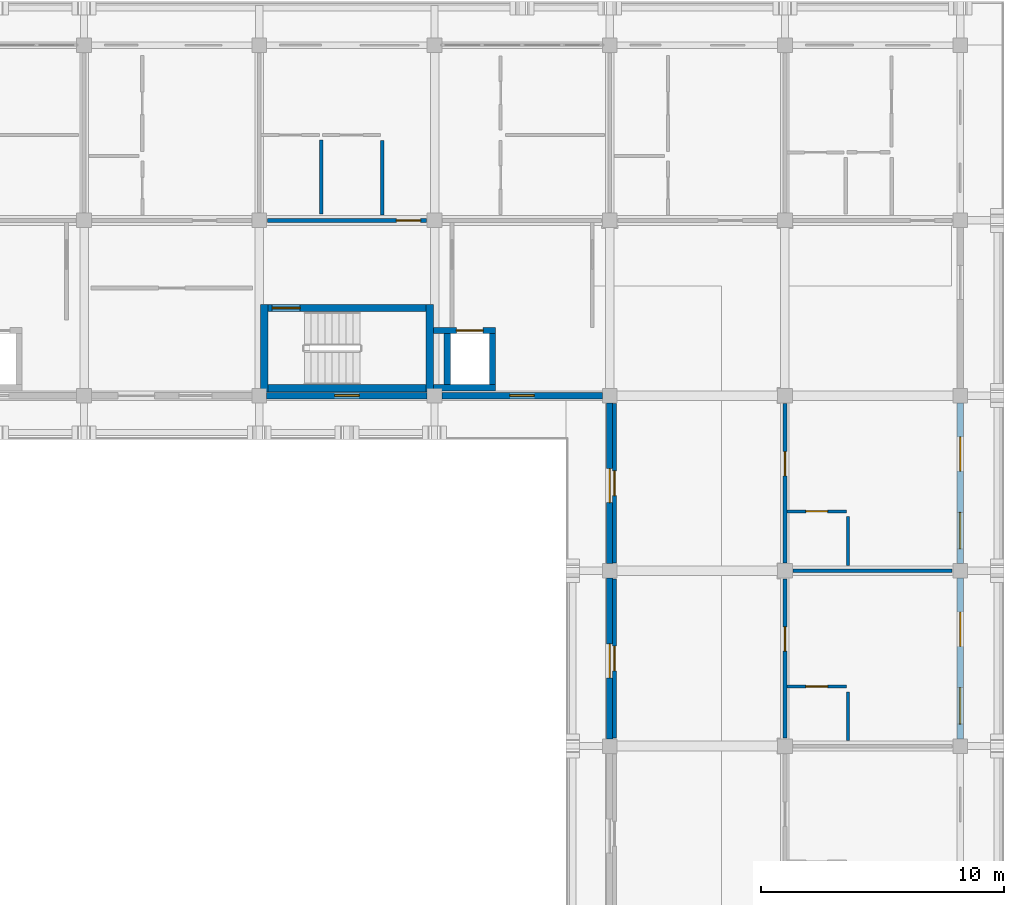
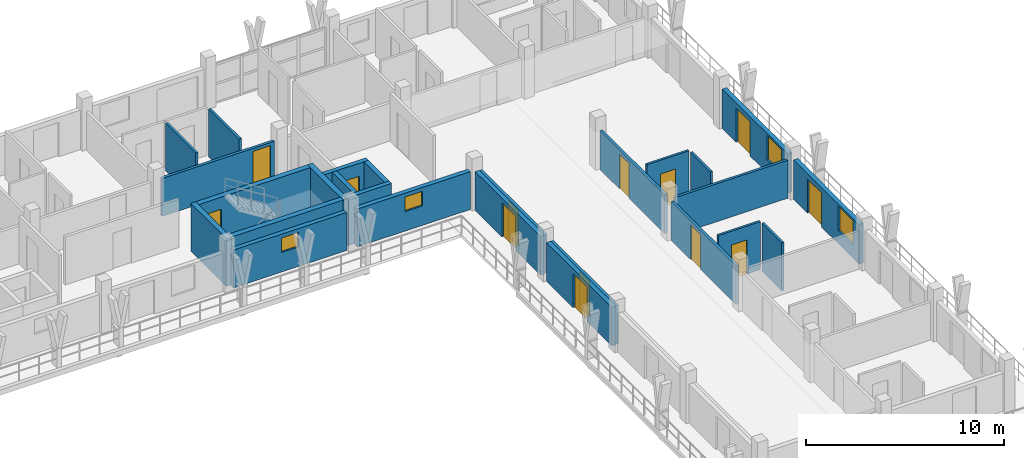
# One storey, part 59 of 78: 26 walls, 13 doors, 4 windows, 17 openings.
"""IFC4 building model written with IfcOpenShell, lengths in metres."""

from ifc_helpers import new_model, si_unit, direction, frame, frame_2d, origin, place, context, subcontext, project, spatial, rectangle, extrude, material, layer, layer_set, type_object, element, fill, save


model = new_model("IFC4")

# Units and contexts
model_context = context("Model", 3, precision=1e-05, world=origin(), true_north=direction((0.0, 1.0)))
body_context = subcontext(model_context, "Body", "Model", "MODEL_VIEW")
ifc_project = project(units=[si_unit("LENGTHUNIT", "METRE"), si_unit("AREAUNIT", "SQUARE_METRE"), si_unit("VOLUMEUNIT", "CUBIC_METRE"), si_unit("PLANEANGLEUNIT", "RADIAN"), si_unit("MASSUNIT", "GRAM", prefix="KILO")], contexts=[model_context])

# Site, building, storey
site_placement = place(None, origin())
site = spatial("IfcSite", under=ifc_project, at=site_placement, CompositionType="ELEMENT")
building_placement = place(site_placement, origin())
building = spatial("IfcBuilding", under=site, at=building_placement, Name="Suanplinth Sawtooth Commons", CompositionType="ELEMENT")
storey_placement = place(building_placement, frame((0.0, 0.0, 15.39990234375)))
storey = spatial("IfcBuildingStorey", under=building, at=storey_placement, Name="L04", CompositionType="ELEMENT", Elevation=15.39990234375)

# Wall
ifc_material_1 = material(Name="Concrete C40/50", Category="concrete")
ifc_layer_1 = layer(ifc_material_1, 0.300048828125, Name="Standard RC stair and lift core wall 300mm")
ifc_layer_set_1 = layer_set([ifc_layer_1], Name="Concrete C40/50")
wall_type_1 = type_object("IfcWallType", Name="W-CR02", PredefinedType="SHEAR", material=ifc_layer_set_1)
wall_1_placement = place(storey_placement, frame((158.75, 108.300048828125, 0.0), z_axis=(0.0, 0.0, 1.0), x_axis=(1.0, 0.0, 0.0)))
element("IfcWall", 1, at=wall_1_placement, inside=storey, type_object=wall_type_1, Name="W-L04-C-B2-STS", PredefinedType="SHEAR", context=body_context, shape_type="SweptSolid", body=[
    extrude(rectangle(XDim=6.5, YDim=0.300048828125, at=frame_2d((3.25, 0.0))), origin(), (0.0, 0.0, 1.0), 2.9501953125),
])

# Wall, opening, door
wall_2_placement = place(storey_placement, frame((158.75, 111.60009765625, 0.0), z_axis=(0.0, 0.0, 1.0), x_axis=(1.0, 0.0, 0.0)))
wall_2 = element("IfcWall", 2, at=wall_2_placement, inside=storey, type_object=wall_type_1, Name="W-L04-C-B2-STN", PredefinedType="SHEAR", context=body_context, shape_type="SweptSolid", body=[
    extrude(rectangle(XDim=6.5, YDim=0.300048828125, at=frame_2d((3.25, 0.0))), origin(), (0.0, 0.0, 1.0), 2.9501953125),
])
opening_1_placement = place(wall_2_placement, frame((0.179931640625, 0.0, 0.0)))
opening_1 = element("IfcOpeningElement", 3, at=opening_1_placement, cuts=wall_2, Name="Opening FD0240", PredefinedType="OPENING", context=body_context, shape_type="SweptSolid", body=[
    extrude(rectangle(XDim=1.14990234375, YDim=2.199951171875, at=frame_2d((0.574951171875, 1.10009765625))), frame((0.0, 0.1650390625, 0.0), z_axis=(0.0, -1.0, 0.0), x_axis=(1.0, 0.0, 0.0)), (0.0, 0.0, 1.0), 0.329833984375),
])
ifc_material_2 = material(Name="Teak hardwood fire-rated door assembly", Category="wood")
door_type_1 = type_object("IfcDoorType", Name="FD-01", OperationType="NOTDEFINED", PredefinedType="DOOR", material=ifc_material_2)
door_1_placement = place(opening_1_placement, frame((1.14990234375, 0.0, 0.0), z_axis=(0.0, 0.0, 1.0), x_axis=(-1.0, 0.0, 0.0)))
door_1 = element("IfcDoor", 4, at=door_1_placement, inside=storey, type_object=door_type_1, Name="Exit Stair Fire Door FD0240", OperationType="SINGLE_SWING_RIGHT", OverallHeight=2.199951171875, OverallWidth=1.14990234375, PredefinedType="DOOR", context=body_context, shape_type="SweptSolid", body=[
    extrude(rectangle(XDim=1.14990234375, YDim=2.199951171875, at=frame_2d((0.574951171875, 1.10009765625))), frame((0.0, 0.02490234375, 0.0), z_axis=(0.0, -1.0, 0.0), x_axis=(1.0, 0.0, 0.0)), (0.0, 0.0, 1.0), 0.050048828125),
])
fill(opening_1, door_1)

# Walls
for number, where, z_axis, x_axis, name in (
    (5, (158.60009765625, 108.14990234375, 0.0), (0.0, 0.0, 1.0), (0.0, 1.0, 0.0), "W-L04-C-B2-STW"),
    (6, (165.39990234375, 108.14990234375, 0.0), (0.0, 0.0, 1.0), (0.0, 1.0, 0.0), "W-L04-C-B2-STE"),
):
    element("IfcWall", number, at=place(storey_placement, frame(where, z_axis=z_axis, x_axis=x_axis)), inside=storey, type_object=wall_type_1, Name=name, PredefinedType="SHEAR", context=body_context, shape_type="SweptSolid", body=[
        extrude(rectangle(XDim=3.60009765625, YDim=0.300048828125, at=frame_2d((1.800048828125, 0.0))), origin(), (0.0, 0.0, 1.0), 2.9501953125),
    ])

# Wall, opening, window
ifc_material_3 = material(Name="Precast concrete C40/50", Category="concrete")
ifc_layer_2 = layer(ifc_material_3, 0.260009765625, Name="Insulated precast courtyard facade wall 260mm")
ifc_layer_set_2 = layer_set([ifc_layer_2], Name="Precast concrete C40/50")
wall_type_2 = type_object("IfcWallType", Name="W-EX02", PredefinedType="ELEMENTEDWALL", material=ifc_layer_set_2)
wall_3_placement = place(storey_placement, frame((158.699951171875, 108.0, 0.0), z_axis=(0.0, 0.0, 1.0), x_axis=(1.0, 0.0, 0.0)))
wall_3 = element("IfcWall", 7, at=wall_3_placement, inside=storey, type_object=wall_type_2, Name="Facade Wall W-L04-B-S-22-15", PredefinedType="ELEMENTEDWALL", context=body_context, shape_type="SweptSolid", body=[
    extrude(rectangle(XDim=6.60009765625, YDim=0.260009765625, at=frame_2d((3.300048828125, 0.0))), origin(), (0.0, 0.0, 1.0), 2.335205078125),
])
opening_2_placement = place(wall_3_placement, frame((2.800048828125, 0.0, 1.199951171875)))
opening_2 = element("IfcOpeningElement", 8, at=opening_2_placement, cuts=wall_3, Name="Opening W0443", PredefinedType="OPENING", context=body_context, shape_type="SweptSolid", body=[
    extrude(rectangle(XDim=1.0, YDim=0.89990234375, at=frame_2d((0.5, 0.449951171875))), frame((0.0, 0.14501953125, 0.0), z_axis=(0.0, -1.0, 0.0), x_axis=(1.0, 0.0, 0.0)), (0.0, 0.0, 1.0), 0.289794921875),
])
ifc_material_4 = material(Name="Thermally broken aluminium and low-E double glazing", Category="aluminium")
window_type_1 = type_object("IfcWindowType", Name="WN-12", PartitioningType="SINGLE_PANEL", PredefinedType="WINDOW", material=ifc_material_4)
window_1_placement = place(opening_2_placement, origin())
window_1 = element("IfcWindow", 9, at=window_1_placement, inside=storey, type_object=window_type_1, Name="Core Daylight Window L04-B-22-15", OverallHeight=0.89990234375, OverallWidth=1.0, PartitioningType="SINGLE_PANEL", PredefinedType="WINDOW", context=body_context, shape_type="SweptSolid", body=[
    extrude(rectangle(XDim=1.0, YDim=0.89990234375, at=frame_2d((0.5, 0.449951171875))), frame((0.0, 0.030029296875, 0.0), z_axis=(0.0, -1.0, 0.0), x_axis=(1.0, 0.0, 0.0)), (0.0, 0.0, 1.0), 0.06005859375),
])
fill(opening_2, window_1)

wall_4_placement = place(storey_placement, frame((165.89990234375, 108.0, 0.0), z_axis=(0.0, 0.0, 1.0), x_axis=(1.0, 0.0, 0.0)))
wall_4 = element("IfcWall", 10, at=wall_4_placement, inside=storey, type_object=wall_type_2, Name="Facade Wall W-L04-B-S-23-15", PredefinedType="ELEMENTEDWALL", context=body_context, shape_type="SweptSolid", body=[
    extrude(rectangle(XDim=6.60009765625, YDim=0.260009765625, at=frame_2d((3.300048828125, 0.0))), origin(), (0.0, 0.0, 1.0), 2.335205078125),
])
opening_3_placement = place(wall_4_placement, frame((2.800048828125, 0.0, 1.199951171875)))
opening_3 = element("IfcOpeningElement", 11, at=opening_3_placement, cuts=wall_4, Name="Opening W0445", PredefinedType="OPENING", context=body_context, shape_type="SweptSolid", body=[
    extrude(rectangle(XDim=1.0, YDim=0.89990234375, at=frame_2d((0.5, 0.449951171875))), frame((0.0, 0.14501953125, 0.0), z_axis=(0.0, -1.0, 0.0), x_axis=(1.0, 0.0, 0.0)), (0.0, 0.0, 1.0), 0.289794921875),
])
window_2_placement = place(opening_3_placement, origin())
window_2 = element("IfcWindow", 12, at=window_2_placement, inside=storey, type_object=window_type_1, Name="Core Daylight Window L04-B-23-15", OverallHeight=0.89990234375, OverallWidth=1.0, PartitioningType="SINGLE_PANEL", PredefinedType="WINDOW", context=body_context, shape_type="SweptSolid", body=[
    extrude(rectangle(XDim=1.0, YDim=0.89990234375, at=frame_2d((0.5, 0.449951171875))), frame((0.0, 0.030029296875, 0.0), z_axis=(0.0, -1.0, 0.0), x_axis=(1.0, 0.0, 0.0)), (0.0, 0.0, 1.0), 0.06005859375),
])
fill(opening_3, window_2)

# Wall, opening, door
wall_5_placement = place(storey_placement, frame((172.800048828125, 93.89990234375, 0.0), z_axis=(0.0, 0.0, 1.0), x_axis=(0.0, 1.0, 0.0)))
wall_5 = element("IfcWall", 13, at=wall_5_placement, inside=storey, type_object=wall_type_2, Name="Facade Wall W-L04-B-W-24-13", PredefinedType="ELEMENTEDWALL", context=body_context, shape_type="SweptSolid", body=[
    extrude(rectangle(XDim=6.60009765625, YDim=0.260009765625, at=frame_2d((3.300048828125, 0.0))), origin(), (0.0, 0.0, 1.0), 2.385009765625),
])
opening_4_placement = place(wall_5_placement, frame((2.5, 0.0, 0.0)))
opening_4 = element("IfcOpeningElement", 14, at=opening_4_placement, cuts=wall_5, Name="Opening ED0346", PredefinedType="OPENING", context=body_context, shape_type="SweptSolid", body=[
    extrude(rectangle(XDim=1.39990234375, YDim=2.10009765625, at=frame_2d((0.699951171875, 1.050048828125))), frame((0.0, 0.14501953125, 0.0), z_axis=(0.0, -1.0, 0.0), x_axis=(1.0, 0.0, 0.0)), (0.0, 0.0, 1.0), 0.289794921875),
])
ifc_material_5 = material(Name="Anodized aluminium and low-E glass", Category="aluminium")
door_type_2 = type_object("IfcDoorType", Name="SD-07", OperationType="SLIDING_TO_RIGHT", PredefinedType="DOOR", material=ifc_material_5)
door_2_placement = place(opening_4_placement, frame((1.39990234375, 0.0, 0.0), z_axis=(0.0, 0.0, 1.0), x_axis=(-1.0, 0.0, 0.0)))
door_2 = element("IfcDoor", 15, at=door_2_placement, inside=storey, type_object=door_type_2, Name="Courtyard Veranda Studio Balcony Door L04-B-13", OperationType="SLIDING_TO_RIGHT", OverallHeight=2.10009765625, OverallWidth=1.39990234375, PredefinedType="DOOR", context=body_context, shape_type="SweptSolid", body=[
    extrude(rectangle(XDim=1.39990234375, YDim=2.10009765625, at=frame_2d((0.699951171875, 1.050048828125))), frame((0.0, 0.02490234375, 0.0), z_axis=(0.0, -1.0, 0.0), x_axis=(1.0, 0.0, 0.0)), (0.0, 0.0, 1.0), 0.050048828125),
])
fill(opening_4, door_2)

wall_6_placement = place(storey_placement, frame((172.800048828125, 101.10009765625, 0.0), z_axis=(0.0, 0.0, 1.0), x_axis=(0.0, 1.0, 0.0)))
wall_6 = element("IfcWall", 16, at=wall_6_placement, inside=storey, type_object=wall_type_2, Name="Facade Wall W-L04-B-W-24-14", PredefinedType="ELEMENTEDWALL", context=body_context, shape_type="SweptSolid", body=[
    extrude(rectangle(XDim=6.599853515625, YDim=0.260009765625, at=frame_2d((3.2998046875, 0.0))), origin(), (0.0, 0.0, 1.0), 2.385009765625),
])
opening_5_placement = place(wall_6_placement, frame((2.5, 0.0, 0.0)))
opening_5 = element("IfcOpeningElement", 17, at=opening_5_placement, cuts=wall_6, Name="Opening ED0347", PredefinedType="OPENING", context=body_context, shape_type="SweptSolid", body=[
    extrude(rectangle(XDim=1.39990234375, YDim=2.10009765625, at=frame_2d((0.699951171875, 1.050048828125))), frame((0.0, 0.14501953125, 0.0), z_axis=(0.0, -1.0, 0.0), x_axis=(1.0, 0.0, 0.0)), (0.0, 0.0, 1.0), 0.289794921875),
])
door_3_placement = place(opening_5_placement, frame((1.39990234375, 0.0, 0.0), z_axis=(0.0, 0.0, 1.0), x_axis=(-1.0, 0.0, 0.0)))
door_3 = element("IfcDoor", 18, at=door_3_placement, inside=storey, type_object=door_type_2, Name="Courtyard Veranda Studio Balcony Door L04-B-14", OperationType="SLIDING_TO_RIGHT", OverallHeight=2.10009765625, OverallWidth=1.39990234375, PredefinedType="DOOR", context=body_context, shape_type="SweptSolid", body=[
    extrude(rectangle(XDim=1.39990234375, YDim=2.10009765625, at=frame_2d((0.699951171875, 1.050048828125))), frame((0.0, 0.02490234375, 0.0), z_axis=(0.0, -1.0, 0.0), x_axis=(1.0, 0.0, 0.0)), (0.0, 0.0, 1.0), 0.050048828125),
])
fill(opening_5, door_3)

# Wall, openings, door, window
wall_7_placement = place(storey_placement, frame((187.199951171875, 93.89990234375, 0.0), z_axis=(0.0, 0.0, 1.0), x_axis=(0.0, 1.0, 0.0)))
wall_7 = element("IfcWall", 19, at=wall_7_placement, inside=storey, type_object=wall_type_2, Name="Facade Wall W-L04-B-E-25-13", PredefinedType="ELEMENTEDWALL", context=body_context, shape_type="SweptSolid", body=[
    extrude(rectangle(XDim=6.60009765625, YDim=0.260009765625, at=frame_2d((3.300048828125, 0.0))), origin(), (0.0, 0.0, 1.0), 2.43017578125),
])
opening_6_placement = place(wall_7_placement, frame((3.800048828125, 0.0, 0.0)))
opening_6 = element("IfcOpeningElement", 20, at=opening_6_placement, cuts=wall_7, Name="Opening ED0352", PredefinedType="OPENING", context=body_context, shape_type="SweptSolid", body=[
    extrude(rectangle(XDim=1.39990234375, YDim=2.10009765625, at=frame_2d((0.699951171875, 1.050048828125))), frame((0.0, 0.14501953125, 0.0), z_axis=(0.0, -1.0, 0.0), x_axis=(1.0, 0.0, 0.0)), (0.0, 0.0, 1.0), 0.289794921875),
])
opening_7_placement = place(wall_7_placement, frame((0.60009765625, 0.0, 0.81005859375)))
opening_7 = element("IfcOpeningElement", 21, at=opening_7_placement, cuts=wall_7, Name="Opening W0450", PredefinedType="OPENING", context=body_context, shape_type="SweptSolid", body=[
    extrude(rectangle(XDim=1.5, YDim=1.5, at=frame_2d((0.75, 0.75))), frame((0.0, 0.14501953125, 0.0), z_axis=(0.0, -1.0, 0.0), x_axis=(1.0, 0.0, 0.0)), (0.0, 0.0, 1.0), 0.289794921875),
])
door_4_placement = place(opening_6_placement, frame((1.39990234375, 0.0, 0.0), z_axis=(0.0, 0.0, 1.0), x_axis=(-1.0, 0.0, 0.0)))
door_4 = element("IfcDoor", 22, at=door_4_placement, inside=storey, type_object=door_type_2, Name="Wing Balcony Sliding Door L04-B-13", OperationType="SLIDING_TO_RIGHT", OverallHeight=2.10009765625, OverallWidth=1.39990234375, PredefinedType="DOOR", context=body_context, shape_type="SweptSolid", body=[
    extrude(rectangle(XDim=1.39990234375, YDim=2.10009765625, at=frame_2d((0.699951171875, 1.050048828125))), frame((0.0, 0.02490234375, 0.0), z_axis=(0.0, -1.0, 0.0), x_axis=(1.0, 0.0, 0.0)), (0.0, 0.0, 1.0), 0.050048828125),
])
fill(opening_6, door_4)
window_type_2 = type_object("IfcWindowType", Name="WN-02", PartitioningType="DOUBLE_PANEL_VERTICAL", PredefinedType="WINDOW", material=ifc_material_4)
window_3_placement = place(opening_7_placement, origin())
window_3 = element("IfcWindow", 23, at=window_3_placement, inside=storey, type_object=window_type_2, Name="Wing Window L04-B-13", OverallHeight=1.5, OverallWidth=1.5, PartitioningType="DOUBLE_PANEL_VERTICAL", PredefinedType="WINDOW", context=body_context, shape_type="SweptSolid", body=[
    extrude(rectangle(XDim=1.5, YDim=1.5, at=frame_2d((0.75, 0.75))), frame((0.0, 0.030029296875, 0.0), z_axis=(0.0, -1.0, 0.0), x_axis=(1.0, 0.0, 0.0)), (0.0, 0.0, 1.0), 0.06005859375),
])
fill(opening_7, window_3)

wall_8_placement = place(storey_placement, frame((187.199951171875, 101.10009765625, 0.0), z_axis=(0.0, 0.0, 1.0), x_axis=(0.0, 1.0, 0.0)))
wall_8 = element("IfcWall", 24, at=wall_8_placement, inside=storey, type_object=wall_type_2, Name="Facade Wall W-L04-B-E-25-14", PredefinedType="ELEMENTEDWALL", context=body_context, shape_type="SweptSolid", body=[
    extrude(rectangle(XDim=6.599853515625, YDim=0.260009765625, at=frame_2d((3.2998046875, 0.0))), origin(), (0.0, 0.0, 1.0), 2.43017578125),
])
opening_8_placement = place(wall_8_placement, frame((3.800048828125, 0.0, 0.0)))
opening_8 = element("IfcOpeningElement", 25, at=opening_8_placement, cuts=wall_8, Name="Opening ED0353", PredefinedType="OPENING", context=body_context, shape_type="SweptSolid", body=[
    extrude(rectangle(XDim=1.39990234375, YDim=2.10009765625, at=frame_2d((0.699951171875, 1.050048828125))), frame((0.0, 0.14501953125, 0.0), z_axis=(0.0, -1.0, 0.0), x_axis=(1.0, 0.0, 0.0)), (0.0, 0.0, 1.0), 0.289794921875),
])
opening_9_placement = place(wall_8_placement, frame((0.60009765625, 0.0, 0.81005859375)))
opening_9 = element("IfcOpeningElement", 26, at=opening_9_placement, cuts=wall_8, Name="Opening W0451", PredefinedType="OPENING", context=body_context, shape_type="SweptSolid", body=[
    extrude(rectangle(XDim=1.5, YDim=1.5, at=frame_2d((0.75, 0.75))), frame((0.0, 0.14501953125, 0.0), z_axis=(0.0, -1.0, 0.0), x_axis=(1.0, 0.0, 0.0)), (0.0, 0.0, 1.0), 0.289794921875),
])
door_5_placement = place(opening_8_placement, frame((1.39990234375, 0.0, 0.0), z_axis=(0.0, 0.0, 1.0), x_axis=(-1.0, 0.0, 0.0)))
door_5 = element("IfcDoor", 27, at=door_5_placement, inside=storey, type_object=door_type_2, Name="Wing Balcony Sliding Door L04-B-14", OperationType="SLIDING_TO_RIGHT", OverallHeight=2.10009765625, OverallWidth=1.39990234375, PredefinedType="DOOR", context=body_context, shape_type="SweptSolid", body=[
    extrude(rectangle(XDim=1.39990234375, YDim=2.10009765625, at=frame_2d((0.699951171875, 1.050048828125))), frame((0.0, 0.02490234375, 0.0), z_axis=(0.0, -1.0, 0.0), x_axis=(1.0, 0.0, 0.0)), (0.0, 0.0, 1.0), 0.050048828125),
])
fill(opening_8, door_5)
window_4_placement = place(opening_9_placement, origin())
window_4 = element("IfcWindow", 28, at=window_4_placement, inside=storey, type_object=window_type_2, Name="Wing Window L04-B-14", OverallHeight=1.5, OverallWidth=1.5, PartitioningType="DOUBLE_PANEL_VERTICAL", PredefinedType="WINDOW", context=body_context, shape_type="SweptSolid", body=[
    extrude(rectangle(XDim=1.5, YDim=1.5, at=frame_2d((0.75, 0.75))), frame((0.0, 0.030029296875, 0.0), z_axis=(0.0, -1.0, 0.0), x_axis=(1.0, 0.0, 0.0)), (0.0, 0.0, 1.0), 0.06005859375),
])
fill(opening_9, window_4)

# Wall, opening, door
ifc_layer_3 = layer(ifc_material_3, 0.159912109375, Name="Fire-rated corridor and lobby wall 160mm")
ifc_layer_set_3 = layer_set([ifc_layer_3], Name="Precast concrete C40/50")
wall_type_3 = type_object("IfcWallType", Name="W-FW01", PredefinedType="PARTITIONING", material=ifc_layer_set_3)
wall_9_placement = place(storey_placement, frame((158.72998046875, 115.199951171875, 0.0), z_axis=(0.0, 0.0, 1.0), x_axis=(1.0, 0.0, 0.0)))
wall_9 = element("IfcWall", 29, at=wall_9_placement, inside=storey, type_object=wall_type_3, Name="W-B-L04-U05-COR-S1", PredefinedType="PARTITIONING", context=body_context, shape_type="SweptSolid", body=[
    extrude(rectangle(XDim=6.5400390625, YDim=0.159912109375, at=frame_2d((3.27001953125, 0.0))), origin(), (0.0, 0.0, 1.0), 2.335205078125),
])
opening_10_placement = place(wall_9_placement, frame((5.300048828125, 0.0, 0.0)))
opening_10 = element("IfcOpeningElement", 30, at=opening_10_placement, cuts=wall_9, Name="Opening FD1107", PredefinedType="OPENING", context=body_context, shape_type="SweptSolid", body=[
    extrude(rectangle(XDim=1.0, YDim=2.14990234375, at=frame_2d((0.5, 1.074951171875))), frame((0.0, 0.0947265625, 0.0), z_axis=(0.0, -1.0, 0.0), x_axis=(1.0, 0.0, 0.0)), (0.0, 0.0, 1.0), 0.189697265625),
])
door_type_3 = type_object("IfcDoorType", Name="FD-03", OperationType="NOTDEFINED", PredefinedType="DOOR", material=ifc_material_2)
door_6_placement = place(opening_10_placement, origin())
door_6 = element("IfcDoor", 31, at=door_6_placement, inside=storey, type_object=door_type_3, Name="Unit Entrance Door FD1107", OperationType="SINGLE_SWING_LEFT", OverallHeight=2.14990234375, OverallWidth=1.0, PredefinedType="DOOR", context=body_context, shape_type="SweptSolid", body=[
    extrude(rectangle(XDim=1.0, YDim=2.14990234375, at=frame_2d((0.5, 1.074951171875))), frame((0.0, 0.02490234375, 0.0), z_axis=(0.0, -1.0, 0.0), x_axis=(1.0, 0.0, 0.0)), (0.0, 0.0, 1.0), 0.050048828125),
])
fill(opening_10, door_6)

wall_10_placement = place(storey_placement, frame((180.0, 93.929931640625, 0.0), z_axis=(0.0, 0.0, 1.0), x_axis=(0.0, 1.0, 0.0)))
wall_10 = element("IfcWall", 32, at=wall_10_placement, inside=storey, type_object=wall_type_3, Name="W-B-L04-L03-COR", PredefinedType="PARTITIONING", context=body_context, shape_type="SweptSolid", body=[
    extrude(rectangle(XDim=6.5400390625, YDim=0.159912109375, at=frame_2d((3.27001953125, 0.0))), origin(), (0.0, 0.0, 1.0), 2.385009765625),
])
opening_11_placement = place(wall_10_placement, frame((3.570068359375, 0.0, 0.0)))
opening_11 = element("IfcOpeningElement", 33, at=opening_11_placement, cuts=wall_10, Name="Opening FD1128", PredefinedType="OPENING", context=body_context, shape_type="SweptSolid", body=[
    extrude(rectangle(XDim=1.0, YDim=2.14990234375, at=frame_2d((0.5, 1.074951171875))), frame((0.0, 0.0947265625, 0.0), z_axis=(0.0, -1.0, 0.0), x_axis=(1.0, 0.0, 0.0)), (0.0, 0.0, 1.0), 0.189697265625),
])
door_7_placement = place(opening_11_placement, frame((1.0, 0.0, 0.0), z_axis=(0.0, 0.0, 1.0), x_axis=(-1.0, 0.0, 0.0)))
door_7 = element("IfcDoor", 34, at=door_7_placement, inside=storey, type_object=door_type_3, Name="Wing Unit Entrance Door FD1128", OperationType="SINGLE_SWING_RIGHT", OverallHeight=2.14990234375, OverallWidth=1.0, PredefinedType="DOOR", context=body_context, shape_type="SweptSolid", body=[
    extrude(rectangle(XDim=1.0, YDim=2.14990234375, at=frame_2d((0.5, 1.074951171875))), frame((0.0, 0.02490234375, 0.0), z_axis=(0.0, -1.0, 0.0), x_axis=(1.0, 0.0, 0.0)), (0.0, 0.0, 1.0), 0.050048828125),
])
fill(opening_11, door_7)

wall_11_placement = place(storey_placement, frame((173.0, 93.929931640625, 0.0), z_axis=(0.0, 0.0, 1.0), x_axis=(0.0, 1.0, 0.0)))
wall_11 = element("IfcWall", 35, at=wall_11_placement, inside=storey, type_object=wall_type_3, Name="W-B-L04-LEGCOURTROOM-39-COR", PredefinedType="PARTITIONING", context=body_context, shape_type="SweptSolid", body=[
    extrude(rectangle(XDim=6.5400390625, YDim=0.159912109375, at=frame_2d((3.27001953125, 0.0))), origin(), (0.0, 0.0, 1.0), 2.385009765625),
])
opening_12_placement = place(wall_11_placement, frame((2.760009765625, 0.0, 0.0)))
opening_12 = element("IfcOpeningElement", 36, at=opening_12_placement, cuts=wall_11, Name="Opening D1130", PredefinedType="OPENING", context=body_context, shape_type="SweptSolid", body=[
    extrude(rectangle(XDim=1.02001953125, YDim=2.179931640625, at=frame_2d((0.510009765625, 1.08984375))), frame((0.0, 0.0947265625, 0.0), z_axis=(0.0, -1.0, 0.0), x_axis=(1.0, 0.0, 0.0)), (0.0, 0.0, 1.0), 0.189697265625),
])
ifc_material_6 = material(Name="Teak hardwood", Category="wood")
door_type_4 = type_object("IfcDoorType", Name="D-16", OperationType="NOTDEFINED", PredefinedType="DOOR", material=ifc_material_6)
door_8_placement = place(opening_12_placement, origin())
door_8 = element("IfcDoor", 37, at=door_8_placement, inside=storey, type_object=door_type_4, Name="Veranda Studio Door D1130", OperationType="SINGLE_SWING_RIGHT", OverallHeight=2.179931640625, OverallWidth=1.02001953125, PredefinedType="DOOR", context=body_context, shape_type="SweptSolid", body=[
    extrude(rectangle(XDim=1.02001953125, YDim=2.179931640625, at=frame_2d((0.510009765625, 1.08984375))), frame((0.0, 0.02490234375, 0.0), z_axis=(0.0, -1.0, 0.0), x_axis=(1.0, 0.0, 0.0)), (0.0, 0.0, 1.0), 0.050048828125),
])
fill(opening_12, door_8)

wall_12_placement = place(storey_placement, frame((180.0, 101.1298828125, 0.0), z_axis=(0.0, 0.0, 1.0), x_axis=(0.0, 1.0, 0.0)))
wall_12 = element("IfcWall", 38, at=wall_12_placement, inside=storey, type_object=wall_type_3, Name="W-B-L04-L04-COR", PredefinedType="PARTITIONING", context=body_context, shape_type="SweptSolid", body=[
    extrude(rectangle(XDim=6.5400390625, YDim=0.159912109375, at=frame_2d((3.27001953125, 0.0))), origin(), (0.0, 0.0, 1.0), 2.385009765625),
])
opening_13_placement = place(wall_12_placement, frame((3.570068359375, 0.0, 0.0)))
opening_13 = element("IfcOpeningElement", 39, at=opening_13_placement, cuts=wall_12, Name="Opening FD1131", PredefinedType="OPENING", context=body_context, shape_type="SweptSolid", body=[
    extrude(rectangle(XDim=1.0, YDim=2.14990234375, at=frame_2d((0.5, 1.074951171875))), frame((0.0, 0.0947265625, 0.0), z_axis=(0.0, -1.0, 0.0), x_axis=(1.0, 0.0, 0.0)), (0.0, 0.0, 1.0), 0.189697265625),
])
door_9_placement = place(opening_13_placement, frame((1.0, 0.0, 0.0), z_axis=(0.0, 0.0, 1.0), x_axis=(-1.0, 0.0, 0.0)))
door_9 = element("IfcDoor", 40, at=door_9_placement, inside=storey, type_object=door_type_3, Name="Wing Unit Entrance Door FD1131", OperationType="SINGLE_SWING_LEFT", OverallHeight=2.14990234375, OverallWidth=1.0, PredefinedType="DOOR", context=body_context, shape_type="SweptSolid", body=[
    extrude(rectangle(XDim=1.0, YDim=2.14990234375, at=frame_2d((0.5, 1.074951171875))), frame((0.0, 0.02490234375, 0.0), z_axis=(0.0, -1.0, 0.0), x_axis=(1.0, 0.0, 0.0)), (0.0, 0.0, 1.0), 0.050048828125),
])
fill(opening_13, door_9)

wall_13_placement = place(storey_placement, frame((173.0, 101.1298828125, 0.0), z_axis=(0.0, 0.0, 1.0), x_axis=(0.0, 1.0, 0.0)))
wall_13 = element("IfcWall", 41, at=wall_13_placement, inside=storey, type_object=wall_type_3, Name="W-B-L04-LEGCOURTROOM-41-COR", PredefinedType="PARTITIONING", context=body_context, shape_type="SweptSolid", body=[
    extrude(rectangle(XDim=6.5400390625, YDim=0.159912109375, at=frame_2d((3.27001953125, 0.0))), origin(), (0.0, 0.0, 1.0), 2.385009765625),
])
opening_14_placement = place(wall_13_placement, frame((2.760009765625, 0.0, 0.0)))
opening_14 = element("IfcOpeningElement", 42, at=opening_14_placement, cuts=wall_13, Name="Opening D1133", PredefinedType="OPENING", context=body_context, shape_type="SweptSolid", body=[
    extrude(rectangle(XDim=1.02001953125, YDim=2.179931640625, at=frame_2d((0.510009765625, 1.08984375))), frame((0.0, 0.0947265625, 0.0), z_axis=(0.0, -1.0, 0.0), x_axis=(1.0, 0.0, 0.0)), (0.0, 0.0, 1.0), 0.189697265625),
])
door_10_placement = place(opening_14_placement, origin())
door_10 = element("IfcDoor", 43, at=door_10_placement, inside=storey, type_object=door_type_4, Name="Veranda Studio Door D1133", OperationType="SINGLE_SWING_LEFT", OverallHeight=2.179931640625, OverallWidth=1.02001953125, PredefinedType="DOOR", context=body_context, shape_type="SweptSolid", body=[
    extrude(rectangle(XDim=1.02001953125, YDim=2.179931640625, at=frame_2d((0.510009765625, 1.08984375))), frame((0.0, 0.02490234375, 0.0), z_axis=(0.0, -1.0, 0.0), x_axis=(1.0, 0.0, 0.0)), (0.0, 0.0, 1.0), 0.050048828125),
])
fill(opening_14, door_10)

# Walls
ifc_layer_4 = layer(ifc_material_3, 0.14990234375, Name="Acoustic precast party demising wall 150mm")
ifc_layer_set_4 = layer_set([ifc_layer_4], Name="Precast concrete C40/50")
wall_type_4 = type_object("IfcWallType", Name="W-FW02", PredefinedType="PARTITIONING", material=ifc_layer_set_4)
wall_14_placement = place(storey_placement, frame((180.330078125, 100.800048828125, 0.0), z_axis=(0.0, 0.0, 1.0), x_axis=(1.0, 0.0, 0.0)))
element("IfcWall", 44, at=wall_14_placement, inside=storey, type_object=wall_type_4, Name="W-B-L04-L03-PTY", PredefinedType="PARTITIONING", context=body_context, shape_type="SweptSolid", body=[
    extrude(rectangle(XDim=6.5400390625, YDim=0.14990234375, at=frame_2d((3.27001953125, 0.0))), origin(), (0.0, 0.0, 1.0), 2.335205078125),
])
ifc_material_7 = material(Name="Gypsum plasterboard on steel stud", Category="steel")
ifc_layer_5 = layer(ifc_material_7, 0.139892578125, Name="Fire-rated kitchen partition 140mm")
ifc_layer_set_5 = layer_set([ifc_layer_5], Name="Gypsum plasterboard on steel stud")
wall_type_5 = type_object("IfcWallType", Name="W-PT01", PredefinedType="PARTITIONING", material=ifc_layer_set_5)
wall_15_placement = place(storey_placement, frame((163.449951171875, 115.429931640625, 0.0), z_axis=(0.0, 0.0, 1.0), x_axis=(0.0, 1.0, 0.0)))
element("IfcWall", 45, at=wall_15_placement, inside=storey, type_object=wall_type_5, Name="W-B-L04-U05-KIT2", PredefinedType="PARTITIONING", context=body_context, shape_type="SweptSolid", body=[
    extrude(rectangle(XDim=3.06005859375, YDim=0.139892578125, at=frame_2d((1.530029296875, 0.0))), origin(), (0.0, 0.0, 1.0), 2.9501953125),
])
ifc_layer_6 = layer(ifc_material_7, 0.1298828125, Name="Moisture-resistant bathroom partition 130mm")
ifc_layer_set_6 = layer_set([ifc_layer_6], Name="Gypsum plasterboard on steel stud")
wall_type_6 = type_object("IfcWallType", Name="W-PT02", PredefinedType="PARTITIONING", material=ifc_layer_set_6)
wall_16_placement = place(storey_placement, frame((160.945068359375, 115.4599609375, 0.0), z_axis=(0.0, 0.0, 1.0), x_axis=(0.0, 1.0, 0.0)))
element("IfcWall", 46, at=wall_16_placement, inside=storey, type_object=wall_type_6, Name="W-B-L04-U05-BTH2", PredefinedType="PARTITIONING", context=body_context, shape_type="SweptSolid", body=[
    extrude(rectangle(XDim=3.0400390625, YDim=0.1298828125, at=frame_2d((1.52001953125, 0.0))), origin(), (0.0, 0.0, 1.0), 2.9501953125),
])

# Wall, opening, door
wall_17_placement = place(storey_placement, frame((180.080078125, 96.044921875, 0.0), z_axis=(0.0, 0.0, 1.0), x_axis=(1.0, 0.0, 0.0)))
wall_17 = element("IfcWall", 47, at=wall_17_placement, inside=storey, type_object=wall_type_6, Name="W-B-L04-L03-BTH1", PredefinedType="PARTITIONING", context=body_context, shape_type="SweptSolid", body=[
    extrude(rectangle(XDim=2.449951171875, YDim=0.1298828125, at=frame_2d((1.22509765625, 0.0))), origin(), (0.0, 0.0, 1.0), 2.9501953125),
])
opening_15_placement = place(wall_17_placement, frame((0.77490234375, 0.0, 0.0)))
opening_15 = element("IfcOpeningElement", 48, at=opening_15_placement, cuts=wall_17, Name="Opening D1129", PredefinedType="OPENING", context=body_context, shape_type="SweptSolid", body=[
    extrude(rectangle(XDim=0.89990234375, YDim=2.10009765625, at=frame_2d((0.449951171875, 1.050048828125))), frame((0.0, 0.079833984375, 0.0), z_axis=(0.0, -1.0, 0.0), x_axis=(1.0, 0.0, 0.0)), (0.0, 0.0, 1.0), 0.15966796875),
])
door_type_5 = type_object("IfcDoorType", Name="D-01", OperationType="NOTDEFINED", PredefinedType="DOOR", material=ifc_material_6)
door_11_placement = place(opening_15_placement, frame((0.89990234375, 0.0, 0.0), z_axis=(0.0, 0.0, 1.0), x_axis=(-1.0, 0.0, 0.0)))
door_11 = element("IfcDoor", 49, at=door_11_placement, inside=storey, type_object=door_type_5, Name="Bathroom Door D1129", OperationType="SINGLE_SWING_LEFT", OverallHeight=2.10009765625, OverallWidth=0.89990234375, PredefinedType="DOOR", context=body_context, shape_type="SweptSolid", body=[
    extrude(rectangle(XDim=0.89990234375, YDim=2.10009765625, at=frame_2d((0.449951171875, 1.050048828125))), frame((0.0, 0.02490234375, 0.0), z_axis=(0.0, -1.0, 0.0), x_axis=(1.0, 0.0, 0.0)), (0.0, 0.0, 1.0), 0.050048828125),
])
fill(opening_15, door_11)

# Wall
wall_18_placement = place(storey_placement, frame((182.594970703125, 93.830078125, 0.0), z_axis=(0.0, 0.0, 1.0), x_axis=(0.0, 1.0, 0.0)))
element("IfcWall", 50, at=wall_18_placement, inside=storey, type_object=wall_type_6, Name="W-B-L04-L03-BTH2", PredefinedType="PARTITIONING", context=body_context, shape_type="SweptSolid", body=[
    extrude(rectangle(XDim=2.0, YDim=0.1298828125, at=frame_2d((1.0, 0.0))), origin(), (0.0, 0.0, 1.0), 2.9501953125),
])

# Wall, opening, door
wall_19_placement = place(storey_placement, frame((180.080078125, 103.2451171875, 0.0), z_axis=(0.0, 0.0, 1.0), x_axis=(1.0, 0.0, 0.0)))
wall_19 = element("IfcWall", 51, at=wall_19_placement, inside=storey, type_object=wall_type_6, Name="W-B-L04-L04-BTH1", PredefinedType="PARTITIONING", context=body_context, shape_type="SweptSolid", body=[
    extrude(rectangle(XDim=2.449951171875, YDim=0.1298828125, at=frame_2d((1.22509765625, 0.0))), origin(), (0.0, 0.0, 1.0), 2.9501953125),
])
opening_16_placement = place(wall_19_placement, frame((0.77490234375, 0.0, 0.0)))
opening_16 = element("IfcOpeningElement", 52, at=opening_16_placement, cuts=wall_19, Name="Opening D1132", PredefinedType="OPENING", context=body_context, shape_type="SweptSolid", body=[
    extrude(rectangle(XDim=0.89990234375, YDim=2.10009765625, at=frame_2d((0.449951171875, 1.050048828125))), frame((0.0, 0.079833984375, 0.0), z_axis=(0.0, -1.0, 0.0), x_axis=(1.0, 0.0, 0.0)), (0.0, 0.0, 1.0), 0.15966796875),
])
door_12_placement = place(opening_16_placement, frame((0.89990234375, 0.0, 0.0), z_axis=(0.0, 0.0, 1.0), x_axis=(-1.0, 0.0, 0.0)))
door_12 = element("IfcDoor", 53, at=door_12_placement, inside=storey, type_object=door_type_5, Name="Bathroom Door D1132", OperationType="SINGLE_SWING_RIGHT", OverallHeight=2.10009765625, OverallWidth=0.89990234375, PredefinedType="DOOR", context=body_context, shape_type="SweptSolid", body=[
    extrude(rectangle(XDim=0.89990234375, YDim=2.10009765625, at=frame_2d((0.449951171875, 1.050048828125))), frame((0.0, 0.02490234375, 0.0), z_axis=(0.0, -1.0, 0.0), x_axis=(1.0, 0.0, 0.0)), (0.0, 0.0, 1.0), 0.050048828125),
])
fill(opening_16, door_12)

# Walls
wall_20_placement = place(storey_placement, frame((182.594970703125, 101.030029296875, 0.0), z_axis=(0.0, 0.0, 1.0), x_axis=(0.0, 1.0, 0.0)))
element("IfcWall", 54, at=wall_20_placement, inside=storey, type_object=wall_type_6, Name="W-B-L04-L04-BTH2", PredefinedType="PARTITIONING", context=body_context, shape_type="SweptSolid", body=[
    extrude(rectangle(XDim=2.0, YDim=0.1298828125, at=frame_2d((1.0, 0.0))), origin(), (0.0, 0.0, 1.0), 2.9501953125),
])
ifc_layer_7 = layer(ifc_material_3, 0.25, Name="Precast structural shear wall 250mm")
ifc_layer_set_7 = layer_set([ifc_layer_7], Name="Precast concrete C40/50")
wall_type_7 = type_object("IfcWallType", Name="W-SH01", PredefinedType="SHEAR", material=ifc_layer_set_7)
wall_21_placement = place(storey_placement, frame((165.550048828125, 108.324951171875, 0.0), z_axis=(0.0, 0.0, 1.0), x_axis=(1.0, 0.0, 0.0)))
element("IfcWall", 55, at=wall_21_placement, inside=storey, type_object=wall_type_7, Name="W-L04-LF4-S", PredefinedType="SHEAR", context=body_context, shape_type="SweptSolid", body=[
    extrude(rectangle(XDim=2.550048828125, YDim=0.25, at=frame_2d((1.27490234375, 0.0))), origin(), (0.0, 0.0, 1.0), 2.9501953125),
])

# Wall, opening, door
wall_22_placement = place(storey_placement, frame((165.550048828125, 110.675048828125, 0.0), z_axis=(0.0, 0.0, 1.0), x_axis=(1.0, 0.0, 0.0)))
wall_22 = element("IfcWall", 56, at=wall_22_placement, inside=storey, type_object=wall_type_7, Name="W-L04-LF4-N", PredefinedType="SHEAR", context=body_context, shape_type="SweptSolid", body=[
    extrude(rectangle(XDim=2.550048828125, YDim=0.25, at=frame_2d((1.27490234375, 0.0))), origin(), (0.0, 0.0, 1.0), 2.9501953125),
])
opening_17_placement = place(wall_22_placement, frame((0.949951171875, 0.0, 0.0)))
opening_17 = element("IfcOpeningElement", 57, at=opening_17_placement, cuts=wall_22, Name="Opening LD0243", PredefinedType="OPENING", context=body_context, shape_type="SweptSolid", body=[
    extrude(rectangle(XDim=1.10009765625, YDim=2.14990234375, at=frame_2d((0.550048828125, 1.074951171875))), frame((0.0, 0.139892578125, 0.0), z_axis=(0.0, -1.0, 0.0), x_axis=(1.0, 0.0, 0.0)), (0.0, 0.0, 1.0), 0.27978515625),
])
ifc_material_8 = material(Name="Stainless steel Grade 304", Category="steel")
door_type_6 = type_object("IfcDoorType", Name="LD-01", OperationType="SLIDING_TO_LEFT", PredefinedType="DOOR", material=ifc_material_8)
door_13_placement = place(opening_17_placement, origin())
door_13 = element("IfcDoor", 58, at=door_13_placement, inside=storey, type_object=door_type_6, Name="Lift Landing Sliding Door LF4 L04", OperationType="SLIDING_TO_LEFT", OverallHeight=2.14990234375, OverallWidth=1.10009765625, PredefinedType="DOOR", context=body_context, shape_type="SweptSolid", body=[
    extrude(rectangle(XDim=1.10009765625, YDim=2.14990234375, at=frame_2d((0.550048828125, 1.074951171875))), frame((0.0, 0.02490234375, 0.0), z_axis=(0.0, -1.0, 0.0), x_axis=(1.0, 0.0, 0.0)), (0.0, 0.0, 1.0), 0.050048828125),
])
fill(opening_17, door_13)

# Walls
for number, where, z_axis, x_axis, name in (
    (59, (166.125, 108.449951171875, 0.0), (0.0, 0.0, 1.0), (0.0, 1.0, 0.0), "W-L04-LF4-W"),
    (60, (167.97509765625, 108.449951171875, 0.0), (0.0, 0.0, 1.0), (0.0, 1.0, 0.0), "W-L04-LF4-E"),
):
    element("IfcWall", number, at=place(storey_placement, frame(where, z_axis=z_axis, x_axis=x_axis)), inside=storey, type_object=wall_type_7, Name=name, PredefinedType="SHEAR", context=body_context, shape_type="SweptSolid", body=[
        extrude(rectangle(XDim=2.10009765625, YDim=0.25, at=frame_2d((1.050048828125, 0.0))), origin(), (0.0, 0.0, 1.0), 2.9501953125),
    ])

save(model, "model.ifc")
